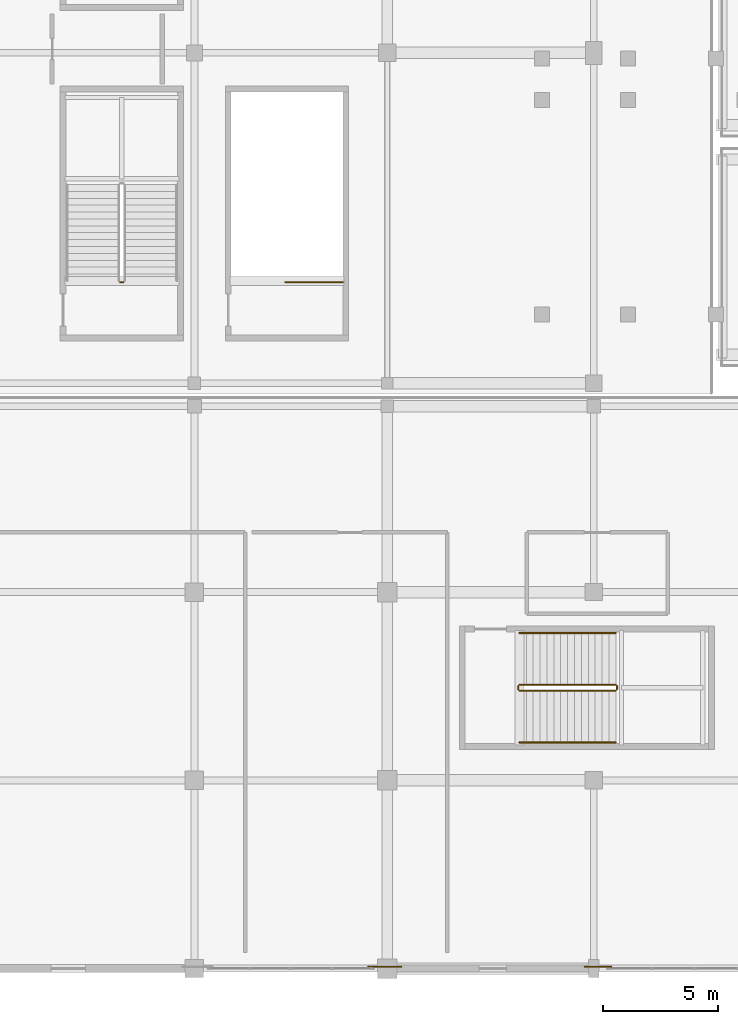
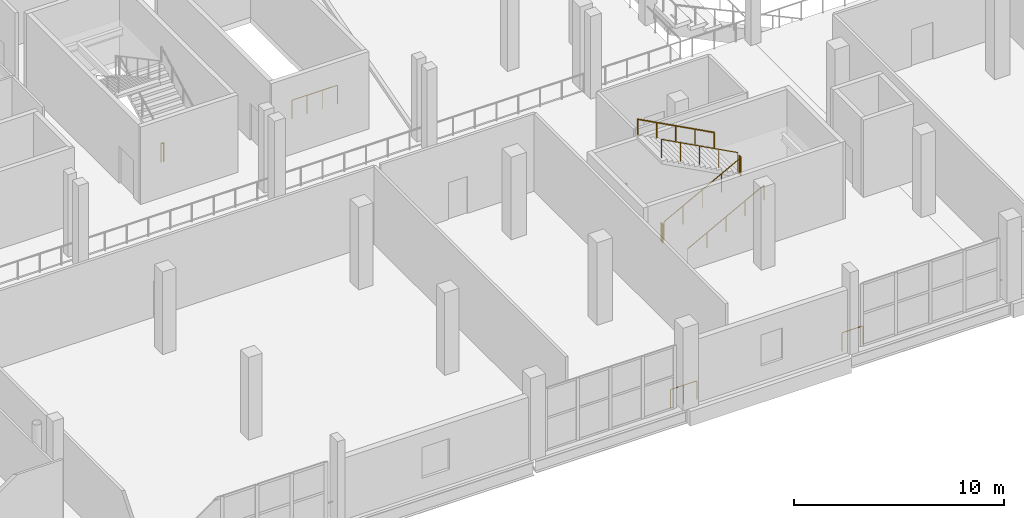
# One storey, part 94 of 129: 10 railings.
"""IFC4 building model written with IfcOpenShell, lengths in metres."""

from ifc_helpers import new_model, si_unit, direction, frame, origin, origin_2d, place, context, subcontext, project, spatial, circle, extrude, material, type_object, element, save


model = new_model("IFC4")

# Units and contexts
model_context = context("Model", 3, precision=1e-05, world=origin(), true_north=direction((0.0, 1.0)))
body_context = subcontext(model_context, "Body", "Model", "MODEL_VIEW")
ifc_project = project(units=[si_unit("LENGTHUNIT", "METRE"), si_unit("AREAUNIT", "SQUARE_METRE"), si_unit("VOLUMEUNIT", "CUBIC_METRE"), si_unit("PLANEANGLEUNIT", "RADIAN"), si_unit("MASSUNIT", "GRAM", prefix="KILO")], contexts=[model_context])

# Site, building, storey
site_placement = place(None, origin())
site = spatial("IfcSite", under=ifc_project, at=site_placement, CompositionType="ELEMENT")
building_placement = place(site_placement, origin())
building = spatial("IfcBuilding", under=site, at=building_placement, Name="Koshinbarg Plaza Stadium", CompositionType="ELEMENT")
storey_placement = place(building_placement, frame((0.0, 0.0, 5.39990234375)))
storey = spatial("IfcBuildingStorey", under=building, at=storey_placement, Name="L01", CompositionType="ELEMENT", Elevation=5.39990234375)

# Railings
ifc_material_1 = material(Name="Toughened laminated glass and stainless steel sightline balustrade", Category="steel")
railing_type_1 = type_object("IfcRailingType", Name="RL-BOWL-1100", PredefinedType="BALUSTRADE", material=ifc_material_1)
railing_1_placement = place(storey_placement, frame((64.357666015625, 0.080078125, 0.0)))
element("IfcRailing", 1, at=railing_1_placement, inside=storey, type_object=railing_type_1, Name="L01 deck edge safety balustrade 0063", PredefinedType="BALUSTRADE", context=body_context, shape_type="SweptSolid", body=[
    extrude(circle(Radius=0.02392578125, at=origin_2d()), frame((0.0, 0.0, 1.076171875), z_axis=(-1.0, 0.0, 0.0), x_axis=(0.0, -1.0, 0.0)), (0.0, 0.0, 1.0), 1.149169921875),
    extrude(circle(Radius=0.02099609375, at=origin_2d()), origin(), (0.0, 0.0, 1.0), 1.052001953125),
    extrude(circle(Radius=0.02099609375, at=origin_2d()), frame((-1.149169921875, 0.0, 0.0)), (0.0, 0.0, 1.0), 1.052001953125),
])
railing_2_placement = place(storey_placement, frame((55.21630859375, 0.080078125, 0.0)))
element("IfcRailing", 2, at=railing_2_placement, inside=storey, type_object=railing_type_1, Name="L01 deck edge safety balustrade 0064", PredefinedType="BALUSTRADE", context=body_context, shape_type="SweptSolid", body=[
    extrude(circle(Radius=0.02392578125, at=origin_2d()), frame((0.0, 0.0, 1.076171875), z_axis=(-1.0, 0.0, 0.0), x_axis=(0.0, -1.0, 0.0)), (0.0, 0.0, 1.0), 1.44921875),
    extrude(circle(Radius=0.02099609375, at=origin_2d()), origin(), (0.0, 0.0, 1.0), 1.052001953125),
    extrude(circle(Radius=0.02099609375, at=origin_2d()), frame((-0.724609375, 0.0, 0.0)), (0.0, 0.0, 1.0), 1.052001953125),
    extrude(circle(Radius=0.02099609375, at=origin_2d()), frame((-1.44921875, 0.0, 0.0)), (0.0, 0.0, 1.0), 1.052001953125),
])
ifc_material_2 = material(Name="Galvanized painted steel guardrail", Category="steel")
railing_type_2 = type_object("IfcRailingType", Name="RL-GUARD-1100", PredefinedType="GUARDRAIL", material=ifc_material_2)
railing_3_placement = place(storey_placement, frame((60.360107421875, 12.110107421875, 0.16015625)))
element("IfcRailing", 3, at=railing_3_placement, inside=storey, type_object=railing_type_2, Name="L01 C13 stair guard 1", PredefinedType="GUARDRAIL", context=body_context, shape_type="SweptSolid", body=[
    extrude(circle(Radius=0.02392578125, at=origin_2d()), frame((0.0, 0.0, 1.076171875), z_axis=(0.882351521365, 0.0, 0.470590897432), x_axis=(0.0, 1.0, 0.0)), (0.0, 0.0, 1.0), 4.760009765625),
    extrude(circle(Radius=0.02099609375, at=origin_2d()), origin(), (0.0, 0.0, 1.0), 1.052001953125),
    extrude(circle(Radius=0.02099609375, at=origin_2d()), frame((1.050048828125, 0.0, 0.56005859375)), (0.0, 0.0, 1.0), 1.052001953125),
    extrude(circle(Radius=0.02099609375, at=origin_2d()), frame((2.10009765625, 0.0, 1.1201171875)), (0.0, 0.0, 1.0), 1.052001953125),
    extrude(circle(Radius=0.02099609375, at=origin_2d()), frame((3.14990234375, 0.0, 1.679931640625)), (0.0, 0.0, 1.0), 1.052001953125),
    extrude(circle(Radius=0.02099609375, at=origin_2d()), frame((4.199951171875, 0.0, 2.239990234375)), (0.0, 0.0, 1.0), 1.052001953125),
])
railing_4_placement = place(storey_placement, frame((64.610107421875, 12.159912109375, 2.400146484375)))
element("IfcRailing", 4, at=railing_4_placement, inside=storey, type_object=railing_type_2, Name="L01 C13 stair guard 2", PredefinedType="GUARDRAIL", context=body_context, shape_type="SweptSolid", body=[
    extrude(circle(Radius=0.02392578125, at=origin_2d()), frame((0.0, 0.0, 1.076171875), z_axis=(0.0, 1.0, 0.0), x_axis=(-1.0, 0.0, 0.0)), (0.0, 0.0, 1.0), 0.150146484375),
    extrude(circle(Radius=0.02099609375, at=origin_2d()), origin(), (0.0, 0.0, 1.0), 1.052001953125),
    extrude(circle(Radius=0.02099609375, at=origin_2d()), frame((0.0, 0.150146484375, 0.0)), (0.0, 0.0, 1.0), 1.052001953125),
])
railing_5_placement = place(storey_placement, frame((64.56005859375, 12.360107421875, 2.56005859375)))
element("IfcRailing", 5, at=railing_5_placement, inside=storey, type_object=railing_type_2, Name="L01 C13 stair guard 3", PredefinedType="GUARDRAIL", context=body_context, shape_type="SweptSolid", body=[
    extrude(circle(Radius=0.02392578125, at=origin_2d()), frame((0.0, 0.0, 1.076171875), z_axis=(-0.882351521365, 0.0, 0.470590897432), x_axis=(0.0, -1.0, 0.0)), (0.0, 0.0, 1.0), 4.760009765625),
    extrude(circle(Radius=0.02099609375, at=origin_2d()), origin(), (0.0, 0.0, 1.0), 1.052001953125),
    extrude(circle(Radius=0.02099609375, at=origin_2d()), frame((-1.050048828125, 0.0, 0.56005859375)), (0.0, 0.0, 1.0), 1.052001953125),
    extrude(circle(Radius=0.02099609375, at=origin_2d()), frame((-2.10009765625, 0.0, 1.1201171875)), (0.0, 0.0, 1.0), 1.052001953125),
    extrude(circle(Radius=0.02099609375, at=origin_2d()), frame((-3.14990234375, 0.0, 1.679931640625)), (0.0, 0.0, 1.0), 1.052001953125),
    extrude(circle(Radius=0.02099609375, at=origin_2d()), frame((-4.199951171875, 0.0, 2.239990234375)), (0.0, 0.0, 1.0), 1.052001953125),
])
railing_6_placement = place(storey_placement, frame((60.31005859375, 12.159912109375, 0.0)))
element("IfcRailing", 6, at=railing_6_placement, inside=storey, type_object=railing_type_2, Name="L01 C13 stair guard 4", PredefinedType="GUARDRAIL", context=body_context, shape_type="SweptSolid", body=[
    extrude(circle(Radius=0.02392578125, at=origin_2d()), frame((0.0, 0.0, 1.076171875), z_axis=(0.0, 1.0, 0.0), x_axis=(-1.0, 0.0, 0.0)), (0.0, 0.0, 1.0), 0.150146484375),
    extrude(circle(Radius=0.02099609375, at=origin_2d()), origin(), (0.0, 0.0, 1.0), 1.052001953125),
    extrude(circle(Radius=0.02099609375, at=origin_2d()), frame((0.0, 0.150146484375, 0.0)), (0.0, 0.0, 1.0), 1.052001953125),
])
railing_7_placement = place(storey_placement, frame((43.110107421875, 29.909912109375, 0.0)))
element("IfcRailing", 7, at=railing_7_placement, inside=storey, type_object=railing_type_2, Name="L01 VX01 stair guard 4", PredefinedType="GUARDRAIL", context=body_context, shape_type="SweptSolid", body=[
    extrude(circle(Radius=0.02392578125, at=origin_2d()), frame((0.0, 0.0, 1.076171875), z_axis=(-1.0, 0.0, 0.0), x_axis=(0.0, -1.0, 0.0)), (0.0, 0.0, 1.0), 0.150146484375),
    extrude(circle(Radius=0.02099609375, at=origin_2d()), origin(), (0.0, 0.0, 1.0), 1.052001953125),
    extrude(circle(Radius=0.02099609375, at=origin_2d()), frame((-0.150146484375, 0.0, 0.0)), (0.0, 0.0, 1.0), 1.052001953125),
])
railing_8_placement = place(storey_placement, frame((52.669921875, 29.909912109375, 0.0)))
element("IfcRailing", 8, at=railing_8_placement, inside=storey, type_object=railing_type_2, Name="L01 VL01 top stairwell guard 1", PredefinedType="GUARDRAIL", context=body_context, shape_type="SweptSolid", body=[
    extrude(circle(Radius=0.02392578125, at=origin_2d()), frame((0.0, 0.0, 1.076171875), z_axis=(-1.0, 0.0, 0.0), x_axis=(0.0, -1.0, 0.0)), (0.0, 0.0, 1.0), 2.510009765625),
    extrude(circle(Radius=0.02099609375, at=origin_2d()), origin(), (0.0, 0.0, 1.0), 1.052001953125),
    extrude(circle(Radius=0.02099609375, at=origin_2d()), frame((-0.836669921875, 0.0, 0.0)), (0.0, 0.0, 1.0), 1.052001953125),
    extrude(circle(Radius=0.02099609375, at=origin_2d()), frame((-1.67333984375, 0.0, 0.0)), (0.0, 0.0, 1.0), 1.052001953125),
    extrude(circle(Radius=0.02099609375, at=origin_2d()), frame((-2.510009765625, 0.0, 0.0)), (0.0, 0.0, 1.0), 1.052001953125),
])
ifc_material_3 = material(Name="Brushed stainless steel handrail", Category="steel")
railing_type_3 = type_object("IfcRailingType", Name="RL-HAND-900", PredefinedType="HANDRAIL", material=ifc_material_3)
railing_9_placement = place(storey_placement, frame((60.360107421875, 9.85009765625, 0.16015625)))
element("IfcRailing", 9, at=railing_9_placement, inside=storey, type_object=railing_type_3, Name="L01 C13 stair handrail 1", PredefinedType="HANDRAIL", context=body_context, shape_type="SweptSolid", body=[
    extrude(circle(Radius=0.02392578125, at=origin_2d()), frame((0.0, 0.0, 0.8759765625), z_axis=(0.882351521365, 0.0, 0.470590897432), x_axis=(0.0, 1.0, 0.0)), (0.0, 0.0, 1.0), 4.760009765625),
    extrude(circle(Radius=0.02099609375, at=origin_2d()), origin(), (0.0, 0.0, 1.0), 0.851806640625),
    extrude(circle(Radius=0.02099609375, at=origin_2d()), frame((1.050048828125, 0.0, 0.56005859375)), (0.0, 0.0, 1.0), 0.851806640625),
    extrude(circle(Radius=0.02099609375, at=origin_2d()), frame((2.10009765625, 0.0, 1.1201171875)), (0.0, 0.0, 1.0), 0.851806640625),
    extrude(circle(Radius=0.02099609375, at=origin_2d()), frame((3.14990234375, 0.0, 1.679931640625)), (0.0, 0.0, 1.0), 0.851806640625),
    extrude(circle(Radius=0.02099609375, at=origin_2d()), frame((4.199951171875, 0.0, 2.239990234375)), (0.0, 0.0, 1.0), 0.851806640625),
])
railing_10_placement = place(storey_placement, frame((64.56005859375, 14.6201171875, 2.56005859375)))
element("IfcRailing", 10, at=railing_10_placement, inside=storey, type_object=railing_type_3, Name="L01 C13 stair handrail 2", PredefinedType="HANDRAIL", context=body_context, shape_type="SweptSolid", body=[
    extrude(circle(Radius=0.02392578125, at=origin_2d()), frame((0.0, 0.0, 0.8759765625), z_axis=(-0.882351521365, 0.0, 0.470590897432), x_axis=(0.0, -1.0, 0.0)), (0.0, 0.0, 1.0), 4.760009765625),
    extrude(circle(Radius=0.02099609375, at=origin_2d()), origin(), (0.0, 0.0, 1.0), 0.851806640625),
    extrude(circle(Radius=0.02099609375, at=origin_2d()), frame((-1.050048828125, 0.0, 0.56005859375)), (0.0, 0.0, 1.0), 0.851806640625),
    extrude(circle(Radius=0.02099609375, at=origin_2d()), frame((-2.10009765625, 0.0, 1.1201171875)), (0.0, 0.0, 1.0), 0.851806640625),
    extrude(circle(Radius=0.02099609375, at=origin_2d()), frame((-3.14990234375, 0.0, 1.679931640625)), (0.0, 0.0, 1.0), 0.851806640625),
    extrude(circle(Radius=0.02099609375, at=origin_2d()), frame((-4.199951171875, 0.0, 2.239990234375)), (0.0, 0.0, 1.0), 0.851806640625),
])

save(model, "model.ifc")
